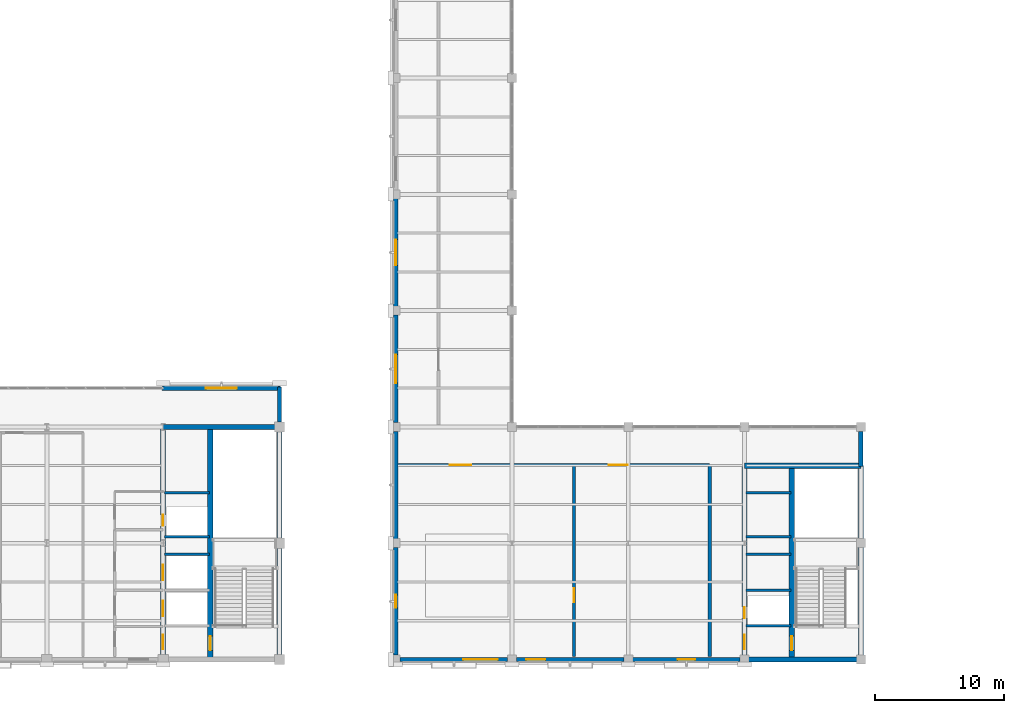
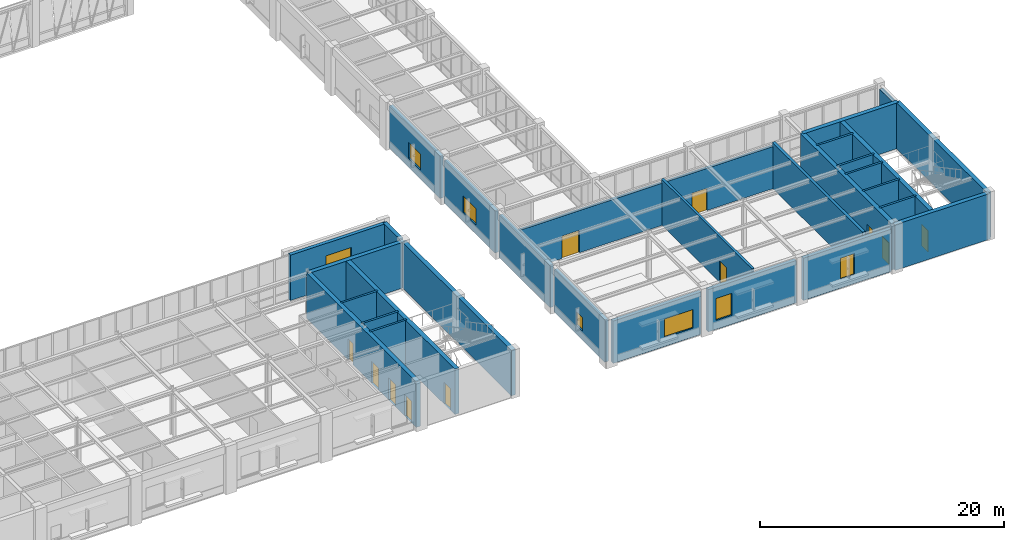
# One storey, part 82 of 98: 30 walls, 11 doors, 7 windows, 18 openings.
"""IFC4 building model written with IfcOpenShell, lengths in metres."""

from ifc_helpers import new_model, si_unit, direction, frame, frame_2d, origin, place, context, subcontext, project, spatial, rectangle, extrude, material, layer, layer_set, type_object, element, fill, save


model = new_model("IFC4")

# Units and contexts
model_context = context("Model", 3, precision=1e-05, world=origin(), true_north=direction((0.0, 1.0)))
body_context = subcontext(model_context, "Body", "Model", "MODEL_VIEW")
ifc_project = project(units=[si_unit("LENGTHUNIT", "METRE"), si_unit("AREAUNIT", "SQUARE_METRE"), si_unit("VOLUMEUNIT", "CUBIC_METRE"), si_unit("PLANEANGLEUNIT", "RADIAN"), si_unit("MASSUNIT", "GRAM", prefix="KILO")], contexts=[model_context])

# Site, building, storey
site_placement = place(None, origin())
site = spatial("IfcSite", under=ifc_project, at=site_placement, CompositionType="ELEMENT")
building_placement = place(site_placement, origin())
building = spatial("IfcBuilding", under=site, at=building_placement, Name="Lykobir Media Centre", CompositionType="ELEMENT")
storey_placement = place(building_placement, frame((0.0, 0.0, 10.199951171875)))
storey = spatial("IfcBuildingStorey", under=building, at=storey_placement, Name="L02", CompositionType="ELEMENT", Elevation=10.199951171875)

# Wall
ifc_material_1 = material(Name="Architectural Ochre Brick", Category="masonry")
ifc_layer_1 = layer(ifc_material_1, 0.330078125, Name="Architectural Ochre Brick")
ifc_layer_set_1 = layer_set([ifc_layer_1], Name="Architectural Ochre Brick")
wall_type_1 = type_object("IfcWallType", Name="EW-BRK-330", PredefinedType="STANDARD", material=ifc_layer_set_1)
wall_1_placement = place(storey_placement, frame((81.0, 18.385009765625, 0.0), z_axis=(0.0, 0.0, 1.0), x_axis=(0.0, 1.0, 0.0)))
element("IfcWall", 1, at=wall_1_placement, inside=storey, type_object=wall_type_1, Name="Exterior wall WALL-L02-0177", PredefinedType="STANDARD", context=body_context, shape_type="SweptSolid", body=[
    extrude(rectangle(XDim=2.68994140625, YDim=0.330078125, at=frame_2d((1.344970703125, 0.0))), origin(), (0.0, 0.0, 1.0), 4.5400390625),
])

# Wall, opening, window
wall_2_placement = place(storey_placement, frame((81.074951171875, 21.0, 0.0), z_axis=(0.0, 0.0, 1.0), x_axis=(-1.0, 0.0, 0.0)))
wall_2 = element("IfcWall", 2, at=wall_2_placement, inside=storey, type_object=wall_type_1, Name="Exterior wall WALL-L02-0178", PredefinedType="STANDARD", context=body_context, shape_type="SweptSolid", body=[
    extrude(rectangle(XDim=9.14990234375, YDim=0.330078125, at=frame_2d((4.574951171875, 0.0))), origin(), (0.0, 0.0, 1.0), 4.5400390625),
])
opening_1_placement = place(wall_2_placement, frame((3.375, 0.0, 0.89990234375)))
opening_1 = element("IfcOpeningElement", 3, at=opening_1_placement, cuts=wall_2, Name="Opening WN-2400x2400", PredefinedType="OPENING", context=body_context, shape_type="SweptSolid", body=[
    extrude(rectangle(XDim=2.39990234375, YDim=2.39990234375, at=frame_2d((1.199951171875, 1.199951171875))), frame((0.0, 0.175048828125, 0.0), z_axis=(0.0, -1.0, 0.0), x_axis=(1.0, 0.0, 0.0)), (0.0, 0.0, 1.0), 0.35009765625),
])
ifc_material_2 = material(Name="Low-E Laminated Triple Glazing", Category="glass")
window_type_1 = type_object("IfcWindowType", Name="WN-2400x2400", PartitioningType="SINGLE_PANEL", PredefinedType="WINDOW", material=ifc_material_2)
window_1_placement = place(opening_1_placement, origin())
window_1 = element("IfcWindow", 4, at=window_1_placement, inside=storey, type_object=window_type_1, Name="Window WIN-L02-0052", OverallHeight=2.39990234375, OverallWidth=2.39990234375, PartitioningType="SINGLE_PANEL", PredefinedType="WINDOW", context=body_context, shape_type="SweptSolid", body=[
    extrude(rectangle(XDim=2.39990234375, YDim=2.39990234375, at=frame_2d((1.199951171875, 1.199951171875))), frame((0.0, 0.030029296875, 0.0), z_axis=(0.0, -1.0, 0.0), x_axis=(1.0, 0.0, 0.0)), (0.0, 0.0, 1.0), 0.06005859375),
])
fill(opening_1, window_1)

# Wall
wall_3_placement = place(storey_placement, frame((126.0, 14.925048828125, 0.0), z_axis=(0.0, 0.0, 1.0), x_axis=(0.0, 1.0, 0.0)))
element("IfcWall", 5, at=wall_3_placement, inside=storey, type_object=wall_type_1, Name="Exterior wall WALL-L02-0195", PredefinedType="STANDARD", context=body_context, shape_type="SweptSolid", body=[
    extrude(rectangle(XDim=2.739990234375, YDim=0.330078125, at=frame_2d((1.3701171875, 0.0))), origin(), (0.0, 0.0, 1.0), 4.215087890625),
])

# Wall, opening, window
wall_4_placement = place(storey_placement, frame((90.0, 26.6650390625, 0.0), z_axis=(0.0, 0.0, 1.0), x_axis=(0.0, -1.0, 0.0)))
wall_4 = element("IfcWall", 6, at=wall_4_placement, inside=storey, type_object=wall_type_1, Name="Exterior wall WALL-L02-0197", PredefinedType="STANDARD", context=body_context, shape_type="SweptSolid", body=[
    extrude(rectangle(XDim=8.330078125, YDim=0.330078125, at=frame_2d((4.1650390625, 0.0))), origin(), (0.0, 0.0, 1.0), 4.235107421875),
])
opening_2_placement = place(wall_4_placement, frame((3.06494140625, 0.0, 0.89990234375)))
opening_2 = element("IfcOpeningElement", 7, at=opening_2_placement, cuts=wall_4, Name="Opening WN-2200x1650", PredefinedType="OPENING", context=body_context, shape_type="SweptSolid", body=[
    extrude(rectangle(XDim=2.199951171875, YDim=1.64990234375, at=frame_2d((1.10009765625, 0.824951171875))), frame((0.0, 0.175048828125, 0.0), z_axis=(0.0, -1.0, 0.0), x_axis=(1.0, 0.0, 0.0)), (0.0, 0.0, 1.0), 0.35009765625),
])
window_type_2 = type_object("IfcWindowType", Name="WN-2200x1650", PartitioningType="SINGLE_PANEL", PredefinedType="WINDOW", material=ifc_material_2)
window_2_placement = place(opening_2_placement, origin())
window_2 = element("IfcWindow", 8, at=window_2_placement, inside=storey, type_object=window_type_2, Name="Window WIN-L02-0058", OverallHeight=1.64990234375, OverallWidth=2.199951171875, PartitioningType="SINGLE_PANEL", PredefinedType="WINDOW", context=body_context, shape_type="SweptSolid", body=[
    extrude(rectangle(XDim=2.199951171875, YDim=1.64990234375, at=frame_2d((1.10009765625, 0.824951171875))), frame((0.0, 0.030029296875, 0.0), z_axis=(0.0, -1.0, 0.0), x_axis=(1.0, 0.0, 0.0)), (0.0, 0.0, 1.0), 0.06005859375),
])
fill(opening_2, window_2)

wall_5_placement = place(storey_placement, frame((90.0, 35.6650390625, 0.0), z_axis=(0.0, 0.0, 1.0), x_axis=(0.0, -1.0, 0.0)))
wall_5 = element("IfcWall", 9, at=wall_5_placement, inside=storey, type_object=wall_type_1, Name="Exterior wall WALL-L02-0198", PredefinedType="STANDARD", context=body_context, shape_type="SweptSolid", body=[
    extrude(rectangle(XDim=8.330078125, YDim=0.330078125, at=frame_2d((4.1650390625, 0.0))), origin(), (0.0, 0.0, 1.0), 4.235107421875),
])
opening_3_placement = place(wall_5_placement, frame((3.1650390625, 0.0, 0.89990234375)))
opening_3 = element("IfcOpeningElement", 10, at=opening_3_placement, cuts=wall_5, Name="Opening WN-2000x1600", PredefinedType="OPENING", context=body_context, shape_type="SweptSolid", body=[
    extrude(rectangle(XDim=2.0, YDim=1.60009765625, at=frame_2d((1.0, 0.800048828125))), frame((0.0, 0.175048828125, 0.0), z_axis=(0.0, -1.0, 0.0), x_axis=(1.0, 0.0, 0.0)), (0.0, 0.0, 1.0), 0.35009765625),
])
window_type_3 = type_object("IfcWindowType", Name="WN-2000x1600", PartitioningType="SINGLE_PANEL", PredefinedType="WINDOW", material=ifc_material_2)
window_3_placement = place(opening_3_placement, origin())
window_3 = element("IfcWindow", 11, at=window_3_placement, inside=storey, type_object=window_type_3, Name="Window WIN-L02-0059", OverallHeight=1.60009765625, OverallWidth=2.0, PartitioningType="SINGLE_PANEL", PredefinedType="WINDOW", context=body_context, shape_type="SweptSolid", body=[
    extrude(rectangle(XDim=2.0, YDim=1.60009765625, at=frame_2d((1.0, 0.800048828125))), frame((0.0, 0.030029296875, 0.0), z_axis=(0.0, -1.0, 0.0), x_axis=(1.0, 0.0, 0.0)), (0.0, 0.0, 1.0), 0.06005859375),
])
fill(opening_3, window_3)

wall_6_placement = place(storey_placement, frame((90.0, 8.6650390625, 0.0), z_axis=(0.0, 0.0, 1.0), x_axis=(0.0, -1.0, 0.0)))
wall_6 = element("IfcWall", 12, at=wall_6_placement, inside=storey, type_object=wall_type_1, Name="Exterior wall WALL-L02-0203", PredefinedType="STANDARD", context=body_context, shape_type="SweptSolid", body=[
    extrude(rectangle(XDim=8.330078125, YDim=0.330078125, at=frame_2d((4.1650390625, 0.0))), origin(), (0.0, 0.0, 1.0), 4.235107421875),
])
opening_4_placement = place(wall_6_placement, frame((3.6650390625, 0.0, 0.89990234375)))
opening_4 = element("IfcOpeningElement", 13, at=opening_4_placement, cuts=wall_6, Name="Opening WN-1000x1350", PredefinedType="OPENING", context=body_context, shape_type="SweptSolid", body=[
    extrude(rectangle(XDim=1.0, YDim=1.35009765625, at=frame_2d((0.5, 0.675048828125))), frame((0.0, 0.175048828125, 0.0), z_axis=(0.0, -1.0, 0.0), x_axis=(1.0, 0.0, 0.0)), (0.0, 0.0, 1.0), 0.35009765625),
])
window_type_4 = type_object("IfcWindowType", Name="WN-1000x1350", PartitioningType="SINGLE_PANEL", PredefinedType="WINDOW", material=ifc_material_2)
window_4_placement = place(opening_4_placement, origin())
window_4 = element("IfcWindow", 14, at=window_4_placement, inside=storey, type_object=window_type_4, Name="Window WIN-L02-0064", OverallHeight=1.35009765625, OverallWidth=1.0, PartitioningType="SINGLE_PANEL", PredefinedType="WINDOW", context=body_context, shape_type="SweptSolid", body=[
    extrude(rectangle(XDim=1.0, YDim=1.35009765625, at=frame_2d((0.5, 0.675048828125))), frame((0.0, 0.030029296875, 0.0), z_axis=(0.0, -1.0, 0.0), x_axis=(1.0, 0.0, 0.0)), (0.0, 0.0, 1.0), 0.06005859375),
])
fill(opening_4, window_4)

# Wall
wall_7_placement = place(storey_placement, frame((90.0, 17.6650390625, 0.0), z_axis=(0.0, 0.0, 1.0), x_axis=(0.0, -1.0, 0.0)))
element("IfcWall", 15, at=wall_7_placement, inside=storey, type_object=wall_type_1, Name="Exterior wall WALL-L02-0204", PredefinedType="STANDARD", context=body_context, shape_type="SweptSolid", body=[
    extrude(rectangle(XDim=8.330078125, YDim=0.330078125, at=frame_2d((4.1650390625, 0.0))), origin(), (0.0, 0.0, 1.0), 4.235107421875),
])

# Wall, opening, window
wall_8_placement = place(storey_placement, frame((90.3349609375, 0.0, 0.0), z_axis=(0.0, 0.0, 1.0), x_axis=(1.0, 0.0, 0.0)))
wall_8 = element("IfcWall", 16, at=wall_8_placement, inside=storey, type_object=wall_type_1, Name="Exterior wall WALL-L02-0205", PredefinedType="STANDARD", context=body_context, shape_type="SweptSolid", body=[
    extrude(rectangle(XDim=8.330078125, YDim=0.330078125, at=frame_2d((4.1650390625, 0.0))), origin(), (0.0, 0.0, 1.0), 4.235107421875),
])
opening_5_placement = place(wall_8_placement, frame((4.8798828125, 0.0, 0.89990234375)))
opening_5 = element("IfcOpeningElement", 17, at=opening_5_placement, cuts=wall_8, Name="Opening WN-2700x1850", PredefinedType="OPENING", context=body_context, shape_type="SweptSolid", body=[
    extrude(rectangle(XDim=2.699951171875, YDim=1.85009765625, at=frame_2d((1.35009765625, 0.925048828125))), frame((0.0, 0.175048828125, 0.0), z_axis=(0.0, -1.0, 0.0), x_axis=(1.0, 0.0, 0.0)), (0.0, 0.0, 1.0), 0.35009765625),
])
window_type_5 = type_object("IfcWindowType", Name="WN-2700x1850", PartitioningType="SINGLE_PANEL", PredefinedType="WINDOW", material=ifc_material_2)
window_5_placement = place(opening_5_placement, origin())
window_5 = element("IfcWindow", 18, at=window_5_placement, inside=storey, type_object=window_type_5, Name="Window WIN-L02-0065", OverallHeight=1.85009765625, OverallWidth=2.699951171875, PartitioningType="SINGLE_PANEL", PredefinedType="WINDOW", context=body_context, shape_type="SweptSolid", body=[
    extrude(rectangle(XDim=2.699951171875, YDim=1.85009765625, at=frame_2d((1.35009765625, 0.925048828125))), frame((0.0, 0.030029296875, 0.0), z_axis=(0.0, -1.0, 0.0), x_axis=(1.0, 0.0, 0.0)), (0.0, 0.0, 1.0), 0.06005859375),
])
fill(opening_5, window_5)

wall_9_placement = place(storey_placement, frame((99.3349609375, 0.0, 0.0), z_axis=(0.0, 0.0, 1.0), x_axis=(1.0, 0.0, 0.0)))
wall_9 = element("IfcWall", 19, at=wall_9_placement, inside=storey, type_object=wall_type_1, Name="Exterior wall WALL-L02-0206", PredefinedType="STANDARD", context=body_context, shape_type="SweptSolid", body=[
    extrude(rectangle(XDim=8.330078125, YDim=0.330078125, at=frame_2d((4.1650390625, 0.0))), origin(), (0.0, 0.0, 1.0), 4.235107421875),
])
opening_6_placement = place(wall_9_placement, frame((0.75, 0.0, 0.89990234375)))
opening_6 = element("IfcOpeningElement", 20, at=opening_6_placement, cuts=wall_9, Name="Opening WN-1500x2200", PredefinedType="OPENING", context=body_context, shape_type="SweptSolid", body=[
    extrude(rectangle(XDim=1.5, YDim=2.199951171875, at=frame_2d((0.75, 1.10009765625))), frame((0.0, 0.175048828125, 0.0), z_axis=(0.0, -1.0, 0.0), x_axis=(1.0, 0.0, 0.0)), (0.0, 0.0, 1.0), 0.35009765625),
])
window_type_6 = type_object("IfcWindowType", Name="WN-1500x2200", PartitioningType="SINGLE_PANEL", PredefinedType="WINDOW", material=ifc_material_2)
window_6_placement = place(opening_6_placement, origin())
window_6 = element("IfcWindow", 21, at=window_6_placement, inside=storey, type_object=window_type_6, Name="Window WIN-L02-0066", OverallHeight=2.199951171875, OverallWidth=1.5, PartitioningType="SINGLE_PANEL", PredefinedType="WINDOW", context=body_context, shape_type="SweptSolid", body=[
    extrude(rectangle(XDim=1.5, YDim=2.199951171875, at=frame_2d((0.75, 1.10009765625))), frame((0.0, 0.030029296875, 0.0), z_axis=(0.0, -1.0, 0.0), x_axis=(1.0, 0.0, 0.0)), (0.0, 0.0, 1.0), 0.06005859375),
])
fill(opening_6, window_6)

wall_10_placement = place(storey_placement, frame((108.3349609375, 0.0, 0.0), z_axis=(0.0, 0.0, 1.0), x_axis=(1.0, 0.0, 0.0)))
wall_10 = element("IfcWall", 22, at=wall_10_placement, inside=storey, type_object=wall_type_1, Name="Exterior wall WALL-L02-0207", PredefinedType="STANDARD", context=body_context, shape_type="SweptSolid", body=[
    extrude(rectangle(XDim=8.330078125, YDim=0.330078125, at=frame_2d((4.1650390625, 0.0))), origin(), (0.0, 0.0, 1.0), 4.235107421875),
])
opening_7_placement = place(wall_10_placement, frame((3.489990234375, 0.0, 0.89990234375)))
opening_7 = element("IfcOpeningElement", 23, at=opening_7_placement, cuts=wall_10, Name="Opening WN-1350x2100", PredefinedType="OPENING", context=body_context, shape_type="SweptSolid", body=[
    extrude(rectangle(XDim=1.35009765625, YDim=2.10009765625, at=frame_2d((0.675048828125, 1.050048828125))), frame((0.0, 0.175048828125, 0.0), z_axis=(0.0, -1.0, 0.0), x_axis=(1.0, 0.0, 0.0)), (0.0, 0.0, 1.0), 0.35009765625),
])
window_type_7 = type_object("IfcWindowType", Name="WN-1350x2100", PartitioningType="SINGLE_PANEL", PredefinedType="WINDOW", material=ifc_material_2)
window_7_placement = place(opening_7_placement, origin())
window_7 = element("IfcWindow", 24, at=window_7_placement, inside=storey, type_object=window_type_7, Name="Window WIN-L02-0067", OverallHeight=2.10009765625, OverallWidth=1.35009765625, PartitioningType="SINGLE_PANEL", PredefinedType="WINDOW", context=body_context, shape_type="SweptSolid", body=[
    extrude(rectangle(XDim=1.35009765625, YDim=2.10009765625, at=frame_2d((0.675048828125, 1.050048828125))), frame((0.0, 0.030029296875, 0.0), z_axis=(0.0, -1.0, 0.0), x_axis=(1.0, 0.0, 0.0)), (0.0, 0.0, 1.0), 0.06005859375),
])
fill(opening_7, window_7)

# Walls
ifc_material_3 = material(Name="Concrete C30/37", Category="concrete")
ifc_layer_2 = layer(ifc_material_3, 0.199951171875, Name="Concrete C30/37")
ifc_layer_set_2 = layer_set([ifc_layer_2], Name="Concrete C30/37")
wall_type_2 = type_object("IfcWallType", Name="IW-SHAFT-200", PredefinedType="PARTITIONING", material=ifc_layer_set_2)
for number, where, z_axis, x_axis, name in (
    (25, (72.10009765625, 8.14990234375, 0.0), (0.0, 0.0, 1.0), (1.0, 0.0, 0.0), "Wall IWALL-L02-0238"),
    (26, (72.10009765625, 9.5, 0.0), (0.0, 0.0, 1.0), (1.0, 0.0, 0.0), "Wall IWALL-L02-0239"),
    (27, (72.10009765625, 12.89990234375, 0.0), (0.0, 0.0, 1.0), (1.0, 0.0, 0.0), "Wall IWALL-L02-0240"),
    (28, (117.10009765625, 2.60009765625, 0.0), (0.0, 0.0, 1.0), (1.0, 0.0, 0.0), "Wall IWALL-L02-0609"),
    (29, (117.10009765625, 5.35009765625, 0.0), (0.0, 0.0, 1.0), (1.0, 0.0, 0.0), "Wall IWALL-L02-0610"),
    (30, (117.10009765625, 8.14990234375, 0.0), (0.0, 0.0, 1.0), (1.0, 0.0, 0.0), "Wall IWALL-L02-0611"),
    (31, (117.10009765625, 9.5, 0.0), (0.0, 0.0, 1.0), (1.0, 0.0, 0.0), "Wall IWALL-L02-0612"),
    (32, (117.10009765625, 12.89990234375, 0.0), (0.0, 0.0, 1.0), (1.0, 0.0, 0.0), "Wall IWALL-L02-0613"),
):
    element("IfcWall", number, at=place(storey_placement, frame(where, z_axis=z_axis, x_axis=x_axis)), inside=storey, type_object=wall_type_2, Name=name, PredefinedType="PARTITIONING", context=body_context, shape_type="SweptSolid", body=[
        extrude(rectangle(XDim=3.5, YDim=0.199951171875, at=frame_2d((1.75, 0.0))), origin(), (0.0, 0.0, 1.0), 4.56005859375),
    ])

# Wall, opening, door
ifc_material_4 = material(Name="Acoustic Gypsum Board", Category="gypsum")
ifc_layer_3 = layer(ifc_material_4, 0.219970703125, Name="Acoustic Gypsum Board")
ifc_layer_set_3 = layer_set([ifc_layer_3], Name="Acoustic Gypsum Board")
wall_type_3 = type_object("IfcWallType", Name="IW-STU-220", PredefinedType="PARTITIONING", material=ifc_layer_set_3)
wall_11_placement = place(storey_placement, frame((103.800048828125, 0.219970703125, 0.0), z_axis=(0.0, 0.0, 1.0), x_axis=(0.0, 1.0, 0.0)))
wall_11 = element("IfcWall", 33, at=wall_11_placement, inside=storey, type_object=wall_type_3, Name="Wall IWALL-L02-0712", PredefinedType="PARTITIONING", context=body_context, shape_type="SweptSolid", body=[
    extrude(rectangle(XDim=14.830078125, YDim=0.219970703125, at=frame_2d((7.4150390625, 0.0))), origin(), (0.0, 0.0, 1.0), 4.56005859375),
])
opening_8_placement = place(wall_11_placement, frame((4.199951171875, 0.0, 0.0)))
opening_8 = element("IfcOpeningElement", 34, at=opening_8_placement, cuts=wall_11, Name="Opening D-L02-RADS", PredefinedType="OPENING", context=body_context, shape_type="SweptSolid", body=[
    extrude(rectangle(XDim=1.10009765625, YDim=2.159912109375, at=frame_2d((0.550048828125, 1.080078125))), frame((0.0, 0.119873046875, 0.0), z_axis=(0.0, -1.0, 0.0), x_axis=(1.0, 0.0, 0.0)), (0.0, 0.0, 1.0), 0.239990234375),
])
ifc_material_5 = material(Name="Acoustic Timber Panelling", Category="wood")
door_type_1 = type_object("IfcDoorType", Name="FD-1100x2160", OperationType="NOTDEFINED", PredefinedType="DOOR", material=ifc_material_5)
door_1_placement = place(opening_8_placement, origin())
door_1 = element("IfcDoor", 35, at=door_1_placement, inside=storey, type_object=door_type_1, Name="Door D-L02-RADS", OperationType="SINGLE_SWING_RIGHT", OverallHeight=2.159912109375, OverallWidth=1.10009765625, PredefinedType="DOOR", context=body_context, shape_type="SweptSolid", body=[
    extrude(rectangle(XDim=1.10009765625, YDim=2.159912109375, at=frame_2d((0.550048828125, 1.080078125))), frame((0.0, 0.02490234375, 0.0), z_axis=(0.0, -1.0, 0.0), x_axis=(1.0, 0.0, 0.0)), (0.0, 0.0, 1.0), 0.050048828125),
])
fill(opening_8, door_1)

# Wall, openings, doors
ifc_layer_4 = layer(ifc_material_4, 0.260009765625, Name="Acoustic Gypsum Board")
ifc_layer_set_4 = layer_set([ifc_layer_4], Name="Acoustic Gypsum Board")
wall_type_4 = type_object("IfcWallType", Name="IW-STU-260", PredefinedType="PARTITIONING", material=ifc_layer_set_4)
wall_12_placement = place(storey_placement, frame((90.0, 15.050048828125, 0.0), z_axis=(0.0, 0.0, 1.0), x_axis=(1.0, 0.0, 0.0)))
wall_12 = element("IfcWall", 36, at=wall_12_placement, inside=storey, type_object=wall_type_4, Name="Wall IWALL-L02-0709", PredefinedType="PARTITIONING", context=body_context, shape_type="SweptSolid", body=[
    extrude(rectangle(XDim=24.300048828125, YDim=0.260009765625, at=frame_2d((12.14990234375, 0.0))), origin(), (0.0, 0.0, 1.0), 4.215087890625),
])
opening_9_placement = place(wall_12_placement, frame((4.199951171875, 0.0, 0.0)))
opening_9 = element("IfcOpeningElement", 37, at=opening_9_placement, cuts=wall_12, Name="Opening D-L02-ES1", PredefinedType="OPENING", context=body_context, shape_type="SweptSolid", body=[
    extrude(rectangle(XDim=1.64990234375, YDim=2.25, at=frame_2d((0.824951171875, 1.125))), frame((0.0, 0.139892578125, 0.0), z_axis=(0.0, -1.0, 0.0), x_axis=(1.0, 0.0, 0.0)), (0.0, 0.0, 1.0), 0.280029296875),
])
opening_10_placement = place(wall_12_placement, frame((16.5, 0.0, 0.0)))
opening_10 = element("IfcOpeningElement", 38, at=opening_10_placement, cuts=wall_12, Name="Opening D-L02-ES2", PredefinedType="OPENING", context=body_context, shape_type="SweptSolid", body=[
    extrude(rectangle(XDim=1.449951171875, YDim=2.219970703125, at=frame_2d((0.72509765625, 1.10986328125))), frame((0.0, 0.139892578125, 0.0), z_axis=(0.0, -1.0, 0.0), x_axis=(1.0, 0.0, 0.0)), (0.0, 0.0, 1.0), 0.280029296875),
])
door_type_2 = type_object("IfcDoorType", Name="FD-1450x2220", OperationType="NOTDEFINED", PredefinedType="DOOR", material=ifc_material_5)
door_2_placement = place(opening_10_placement, origin())
door_2 = element("IfcDoor", 39, at=door_2_placement, inside=storey, type_object=door_type_2, Name="Door D-L02-ES2", OperationType="DOUBLE_DOOR_SINGLE_SWING", OverallHeight=2.219970703125, OverallWidth=1.449951171875, PredefinedType="DOOR", context=body_context, shape_type="SweptSolid", body=[
    extrude(rectangle(XDim=1.449951171875, YDim=2.219970703125, at=frame_2d((0.72509765625, 1.10986328125))), frame((0.0, 0.02490234375, 0.0), z_axis=(0.0, -1.0, 0.0), x_axis=(1.0, 0.0, 0.0)), (0.0, 0.0, 1.0), 0.050048828125),
])
fill(opening_10, door_2)
door_type_3 = type_object("IfcDoorType", Name="FD-1650x2250", OperationType="NOTDEFINED", PredefinedType="DOOR", material=ifc_material_5)
door_3_placement = place(opening_9_placement, origin())
door_3 = element("IfcDoor", 40, at=door_3_placement, inside=storey, type_object=door_type_3, Name="Door D-L02-ES1", OperationType="DOUBLE_DOOR_SINGLE_SWING", OverallHeight=2.25, OverallWidth=1.64990234375, PredefinedType="DOOR", context=body_context, shape_type="SweptSolid", body=[
    extrude(rectangle(XDim=1.64990234375, YDim=2.25, at=frame_2d((0.824951171875, 1.125))), frame((0.0, 0.02490234375, 0.0), z_axis=(0.0, -1.0, 0.0), x_axis=(1.0, 0.0, 0.0)), (0.0, 0.0, 1.0), 0.050048828125),
])
fill(opening_9, door_3)

# Wall
wall_13_placement = place(storey_placement, frame((114.300048828125, 0.219970703125, 0.0), z_axis=(0.0, 0.0, 1.0), x_axis=(0.0, 1.0, 0.0)))
element("IfcWall", 41, at=wall_13_placement, inside=storey, type_object=wall_type_4, Name="Wall IWALL-L02-0710", PredefinedType="PARTITIONING", context=body_context, shape_type="SweptSolid", body=[
    extrude(rectangle(XDim=14.830078125, YDim=0.260009765625, at=frame_2d((7.4150390625, 0.0))), origin(), (0.0, 0.0, 1.0), 4.56005859375),
])

# Wall, openings, doors
ifc_material_6 = material(Name="Concrete C40/50", Category="concrete")
ifc_layer_5 = layer(ifc_material_6, 0.39990234375, Name="Concrete C40/50")
ifc_layer_set_5 = layer_set([ifc_layer_5], Name="Concrete C40/50")
wall_type_5 = type_object("IfcWallType", Name="SW-CORE-400", PredefinedType="SHEAR", material=ifc_layer_set_5)
wall_14_placement = place(storey_placement, frame((72.0, 18.0, 0.0), z_axis=(0.0, 0.0, 1.0), x_axis=(0.0, -1.0, 0.0)))
wall_14 = element("IfcWall", 42, at=wall_14_placement, inside=storey, type_object=wall_type_5, Name="Wall IWALL-L02-0234", PredefinedType="SHEAR", context=body_context, shape_type="SweptSolid", body=[
    extrude(rectangle(XDim=18.0, YDim=0.39990234375, at=frame_2d((9.0, 0.0))), origin(), (0.0, 0.0, 1.0), 4.56005859375),
])
opening_11_placement = place(wall_14_placement, frame((16.10009765625, 0.0, 0.0)))
opening_11 = element("IfcOpeningElement", 43, at=opening_11_placement, cuts=wall_14, Name="Opening D-L02-C2VB", PredefinedType="OPENING", context=body_context, shape_type="SweptSolid", body=[
    extrude(rectangle(XDim=1.10009765625, YDim=2.159912109375, at=frame_2d((0.550048828125, 1.080078125))), frame((0.0, 0.2099609375, 0.0), z_axis=(0.0, -1.0, 0.0), x_axis=(1.0, 0.0, 0.0)), (0.0, 0.0, 1.0), 0.419921875),
])
opening_12_placement = place(wall_14_placement, frame((13.449951171875, 0.0, 0.0)))
opening_12 = element("IfcOpeningElement", 44, at=opening_12_placement, cuts=wall_14, Name="Opening LD-L02-PL-2", PredefinedType="OPENING", context=body_context, shape_type="SweptSolid", body=[
    extrude(rectangle(XDim=1.199951171875, YDim=2.199951171875, at=frame_2d((0.60009765625, 1.10009765625))), frame((0.0, 0.2099609375, 0.0), z_axis=(0.0, -1.0, 0.0), x_axis=(1.0, 0.0, 0.0)), (0.0, 0.0, 1.0), 0.419921875),
])
opening_13_placement = place(wall_14_placement, frame((10.64990234375, 0.0, 0.0)))
opening_13 = element("IfcOpeningElement", 45, at=opening_13_placement, cuts=wall_14, Name="Opening LD-L02-FL-2", PredefinedType="OPENING", context=body_context, shape_type="SweptSolid", body=[
    extrude(rectangle(XDim=1.199951171875, YDim=2.199951171875, at=frame_2d((0.60009765625, 1.10009765625))), frame((0.0, 0.2099609375, 0.0), z_axis=(0.0, -1.0, 0.0), x_axis=(1.0, 0.0, 0.0)), (0.0, 0.0, 1.0), 0.419921875),
])
opening_14_placement = place(wall_14_placement, frame((6.800048828125, 0.0, 0.0)))
opening_14 = element("IfcOpeningElement", 46, at=opening_14_placement, cuts=wall_14, Name="Opening D-L02-C2RS", PredefinedType="OPENING", context=body_context, shape_type="SweptSolid", body=[
    extrude(rectangle(XDim=0.85009765625, YDim=2.10009765625, at=frame_2d((0.425048828125, 1.050048828125))), frame((0.0, 0.2099609375, 0.0), z_axis=(0.0, -1.0, 0.0), x_axis=(1.0, 0.0, 0.0)), (0.0, 0.0, 1.0), 0.419921875),
])
ifc_material_7 = material(Name="Anodized Aluminium AW-6060", Category="aluminium")
door_type_4 = type_object("IfcDoorType", Name="FD-0850x2100", OperationType="NOTDEFINED", PredefinedType="DOOR", material=ifc_material_7)
door_4_placement = place(opening_14_placement, origin())
door_4 = element("IfcDoor", 47, at=door_4_placement, inside=storey, type_object=door_type_4, Name="Riser access door C2 L02", OperationType="SINGLE_SWING_LEFT", OverallHeight=2.10009765625, OverallWidth=0.85009765625, PredefinedType="DOOR", context=body_context, shape_type="SweptSolid", body=[
    extrude(rectangle(XDim=0.85009765625, YDim=2.10009765625, at=frame_2d((0.425048828125, 1.050048828125))), frame((0.0, 0.02490234375, 0.0), z_axis=(0.0, -1.0, 0.0), x_axis=(1.0, 0.0, 0.0)), (0.0, 0.0, 1.0), 0.050048828125),
])
fill(opening_14, door_4)
door_5_placement = place(opening_11_placement, origin())
door_5 = element("IfcDoor", 48, at=door_5_placement, inside=storey, type_object=door_type_1, Name="Door D-L02-C2VB", OperationType="SINGLE_SWING_RIGHT", OverallHeight=2.159912109375, OverallWidth=1.10009765625, PredefinedType="DOOR", context=body_context, shape_type="SweptSolid", body=[
    extrude(rectangle(XDim=1.10009765625, YDim=2.159912109375, at=frame_2d((0.550048828125, 1.080078125))), frame((0.0, 0.02490234375, 0.0), z_axis=(0.0, -1.0, 0.0), x_axis=(1.0, 0.0, 0.0)), (0.0, 0.0, 1.0), 0.050048828125),
])
fill(opening_11, door_5)
door_type_5 = type_object("IfcDoorType", Name="LD-1200x2200", OperationType="NOTDEFINED", PredefinedType="DOOR", material=ifc_material_7)
door_6_placement = place(opening_12_placement, origin())
door_6 = element("IfcDoor", 49, at=door_6_placement, inside=storey, type_object=door_type_5, Name="Lift landing door PL-2 L02", OperationType="SLIDING_TO_LEFT", OverallHeight=2.199951171875, OverallWidth=1.199951171875, PredefinedType="DOOR", context=body_context, shape_type="SweptSolid", body=[
    extrude(rectangle(XDim=1.199951171875, YDim=2.199951171875, at=frame_2d((0.60009765625, 1.10009765625))), frame((0.0, 0.02490234375, 0.0), z_axis=(0.0, -1.0, 0.0), x_axis=(1.0, 0.0, 0.0)), (0.0, 0.0, 1.0), 0.050048828125),
])
fill(opening_12, door_6)
door_7_placement = place(opening_13_placement, origin())
door_7 = element("IfcDoor", 50, at=door_7_placement, inside=storey, type_object=door_type_5, Name="Firefighting lift landing door FL-2 L02", OperationType="SLIDING_TO_LEFT", OverallHeight=2.199951171875, OverallWidth=1.199951171875, PredefinedType="DOOR", context=body_context, shape_type="SweptSolid", body=[
    extrude(rectangle(XDim=1.199951171875, YDim=2.199951171875, at=frame_2d((0.60009765625, 1.10009765625))), frame((0.0, 0.02490234375, 0.0), z_axis=(0.0, -1.0, 0.0), x_axis=(1.0, 0.0, 0.0)), (0.0, 0.0, 1.0), 0.050048828125),
])
fill(opening_13, door_7)

# Wall, opening, door
wall_15_placement = place(storey_placement, frame((75.64990234375, 0.0, 0.0), z_axis=(0.0, 0.0, 1.0), x_axis=(0.0, 1.0, 0.0)))
wall_15 = element("IfcWall", 51, at=wall_15_placement, inside=storey, type_object=wall_type_5, Name="Wall IWALL-L02-0235", PredefinedType="SHEAR", context=body_context, shape_type="SweptSolid", body=[
    extrude(rectangle(XDim=18.0, YDim=0.39990234375, at=frame_2d((9.0, 0.0))), origin(), (0.0, 0.0, 1.0), 4.56005859375),
])
opening_15_placement = place(wall_15_placement, frame((0.699951171875, 0.0, 0.0)))
opening_15 = element("IfcOpeningElement", 52, at=opening_15_placement, cuts=wall_15, Name="Opening D-L02-C2ST", PredefinedType="OPENING", context=body_context, shape_type="SweptSolid", body=[
    extrude(rectangle(XDim=1.10009765625, YDim=2.159912109375, at=frame_2d((0.550048828125, 1.080078125))), frame((0.0, 0.2099609375, 0.0), z_axis=(0.0, -1.0, 0.0), x_axis=(1.0, 0.0, 0.0)), (0.0, 0.0, 1.0), 0.419921875),
])
door_8_placement = place(opening_15_placement, origin())
door_8 = element("IfcDoor", 53, at=door_8_placement, inside=storey, type_object=door_type_1, Name="L02 ST-2 stairwell fire door", OperationType="SINGLE_SWING_LEFT", OverallHeight=2.159912109375, OverallWidth=1.10009765625, PredefinedType="DOOR", context=body_context, shape_type="SweptSolid", body=[
    extrude(rectangle(XDim=1.10009765625, YDim=2.159912109375, at=frame_2d((0.550048828125, 1.080078125))), frame((0.0, 0.02490234375, 0.0), z_axis=(0.0, -1.0, 0.0), x_axis=(1.0, 0.0, 0.0)), (0.0, 0.0, 1.0), 0.050048828125),
])
fill(opening_15, door_8)

# Wall, openings, doors
wall_16_placement = place(storey_placement, frame((117.0, 15.0, 0.0), z_axis=(0.0, 0.0, 1.0), x_axis=(0.0, -1.0, 0.0)))
wall_16 = element("IfcWall", 54, at=wall_16_placement, inside=storey, type_object=wall_type_5, Name="Wall IWALL-L02-0607", PredefinedType="SHEAR", context=body_context, shape_type="SweptSolid", body=[
    extrude(rectangle(XDim=15.0, YDim=0.39990234375, at=frame_2d((7.5, 0.0))), origin(), (0.0, 0.0, 1.0), 4.56005859375),
])
opening_16_placement = place(wall_16_placement, frame((13.10009765625, 0.0, 0.0)))
opening_16 = element("IfcOpeningElement", 55, at=opening_16_placement, cuts=wall_16, Name="Opening D-L02-C5VB", PredefinedType="OPENING", context=body_context, shape_type="SweptSolid", body=[
    extrude(rectangle(XDim=1.10009765625, YDim=2.159912109375, at=frame_2d((0.550048828125, 1.080078125))), frame((0.0, 0.2099609375, 0.0), z_axis=(0.0, -1.0, 0.0), x_axis=(1.0, 0.0, 0.0)), (0.0, 0.0, 1.0), 0.419921875),
])
opening_17_placement = place(wall_16_placement, frame((10.949951171875, 0.0, 0.0)))
opening_17 = element("IfcOpeningElement", 56, at=opening_17_placement, cuts=wall_16, Name="Opening D-L02-C5RS", PredefinedType="OPENING", context=body_context, shape_type="SweptSolid", body=[
    extrude(rectangle(XDim=0.85009765625, YDim=2.10009765625, at=frame_2d((0.425048828125, 1.050048828125))), frame((0.0, 0.2099609375, 0.0), z_axis=(0.0, -1.0, 0.0), x_axis=(1.0, 0.0, 0.0)), (0.0, 0.0, 1.0), 0.419921875),
])
door_9_placement = place(opening_17_placement, origin())
door_9 = element("IfcDoor", 57, at=door_9_placement, inside=storey, type_object=door_type_4, Name="Riser access door C5 L02", OperationType="SINGLE_SWING_RIGHT", OverallHeight=2.10009765625, OverallWidth=0.85009765625, PredefinedType="DOOR", context=body_context, shape_type="SweptSolid", body=[
    extrude(rectangle(XDim=0.85009765625, YDim=2.10009765625, at=frame_2d((0.425048828125, 1.050048828125))), frame((0.0, 0.02490234375, 0.0), z_axis=(0.0, -1.0, 0.0), x_axis=(1.0, 0.0, 0.0)), (0.0, 0.0, 1.0), 0.050048828125),
])
fill(opening_17, door_9)
door_10_placement = place(opening_16_placement, origin())
door_10 = element("IfcDoor", 58, at=door_10_placement, inside=storey, type_object=door_type_1, Name="Door D-L02-C5VB", OperationType="SINGLE_SWING_LEFT", OverallHeight=2.159912109375, OverallWidth=1.10009765625, PredefinedType="DOOR", context=body_context, shape_type="SweptSolid", body=[
    extrude(rectangle(XDim=1.10009765625, YDim=2.159912109375, at=frame_2d((0.550048828125, 1.080078125))), frame((0.0, 0.02490234375, 0.0), z_axis=(0.0, -1.0, 0.0), x_axis=(1.0, 0.0, 0.0)), (0.0, 0.0, 1.0), 0.050048828125),
])
fill(opening_16, door_10)

# Wall, opening, door
wall_17_placement = place(storey_placement, frame((120.64990234375, 0.0, 0.0), z_axis=(0.0, 0.0, 1.0), x_axis=(0.0, 1.0, 0.0)))
wall_17 = element("IfcWall", 59, at=wall_17_placement, inside=storey, type_object=wall_type_5, Name="Wall IWALL-L02-0608", PredefinedType="SHEAR", context=body_context, shape_type="SweptSolid", body=[
    extrude(rectangle(XDim=15.0, YDim=0.39990234375, at=frame_2d((7.5, 0.0))), origin(), (0.0, 0.0, 1.0), 4.56005859375),
])
opening_18_placement = place(wall_17_placement, frame((0.699951171875, 0.0, 0.0)))
opening_18 = element("IfcOpeningElement", 60, at=opening_18_placement, cuts=wall_17, Name="Opening D-L02-C5ST", PredefinedType="OPENING", context=body_context, shape_type="SweptSolid", body=[
    extrude(rectangle(XDim=1.10009765625, YDim=2.159912109375, at=frame_2d((0.550048828125, 1.080078125))), frame((0.0, 0.2099609375, 0.0), z_axis=(0.0, -1.0, 0.0), x_axis=(1.0, 0.0, 0.0)), (0.0, 0.0, 1.0), 0.419921875),
])
door_11_placement = place(opening_18_placement, origin())
door_11 = element("IfcDoor", 61, at=door_11_placement, inside=storey, type_object=door_type_1, Name="L02 ST-5 stairwell fire door", OperationType="SINGLE_SWING_RIGHT", OverallHeight=2.159912109375, OverallWidth=1.10009765625, PredefinedType="DOOR", context=body_context, shape_type="SweptSolid", body=[
    extrude(rectangle(XDim=1.10009765625, YDim=2.159912109375, at=frame_2d((0.550048828125, 1.080078125))), frame((0.0, 0.02490234375, 0.0), z_axis=(0.0, -1.0, 0.0), x_axis=(1.0, 0.0, 0.0)), (0.0, 0.0, 1.0), 0.050048828125),
])
fill(opening_18, door_11)

# Walls
ifc_layer_6 = layer(ifc_material_6, 0.39990234375, Name="Concrete C40/50")
ifc_layer_set_6 = layer_set([ifc_layer_6], Name="Concrete C40/50")
wall_type_6 = type_object("IfcWallType", Name="SW-CORE-400-E", PredefinedType="SHEAR", material=ifc_layer_set_6)
wall_18_placement = place(storey_placement, frame((81.0, 0.0, 0.0), z_axis=(0.0, 0.0, 1.0), x_axis=(0.0, 1.0, 0.0)))
element("IfcWall", 62, at=wall_18_placement, inside=storey, type_object=wall_type_6, Name="Wall IWALL-L02-0232", PredefinedType="SHEAR", context=body_context, shape_type="SweptSolid", body=[
    extrude(rectangle(XDim=18.0, YDim=0.39990234375, at=frame_2d((9.0, 0.0))), origin(), (0.0, 0.0, 1.0), 4.56005859375),
])
for number, where, z_axis, x_axis, name in (
    (63, (81.0, 18.0, 0.0), (0.0, 0.0, 1.0), (-1.0, 0.0, 0.0), "Wall IWALL-L02-0233"),
    (64, (117.0, 0.0, 0.0), (0.0, 0.0, 1.0), (1.0, 0.0, 0.0), "Wall IWALL-L02-0604"),
):
    element("IfcWall", number, at=place(storey_placement, frame(where, z_axis=z_axis, x_axis=x_axis)), inside=storey, type_object=wall_type_6, Name=name, PredefinedType="SHEAR", context=body_context, shape_type="SweptSolid", body=[
        extrude(rectangle(XDim=9.0, YDim=0.39990234375, at=frame_2d((4.5, 0.0))), origin(), (0.0, 0.0, 1.0), 4.56005859375),
    ])
wall_19_placement = place(storey_placement, frame((126.0, 0.0, 0.0), z_axis=(0.0, 0.0, 1.0), x_axis=(0.0, 1.0, 0.0)))
element("IfcWall", 65, at=wall_19_placement, inside=storey, type_object=wall_type_6, Name="Wall IWALL-L02-0605", PredefinedType="SHEAR", context=body_context, shape_type="SweptSolid", body=[
    extrude(rectangle(XDim=15.0, YDim=0.39990234375, at=frame_2d((7.5, 0.0))), origin(), (0.0, 0.0, 1.0), 4.56005859375),
])
wall_20_placement = place(storey_placement, frame((126.0, 15.0, 0.0), z_axis=(0.0, 0.0, 1.0), x_axis=(-1.0, 0.0, 0.0)))
element("IfcWall", 66, at=wall_20_placement, inside=storey, type_object=wall_type_6, Name="Wall IWALL-L02-0606", PredefinedType="SHEAR", context=body_context, shape_type="SweptSolid", body=[
    extrude(rectangle(XDim=9.0, YDim=0.39990234375, at=frame_2d((4.5, 0.0))), origin(), (0.0, 0.0, 1.0), 4.56005859375),
])

save(model, "model.ifc")
